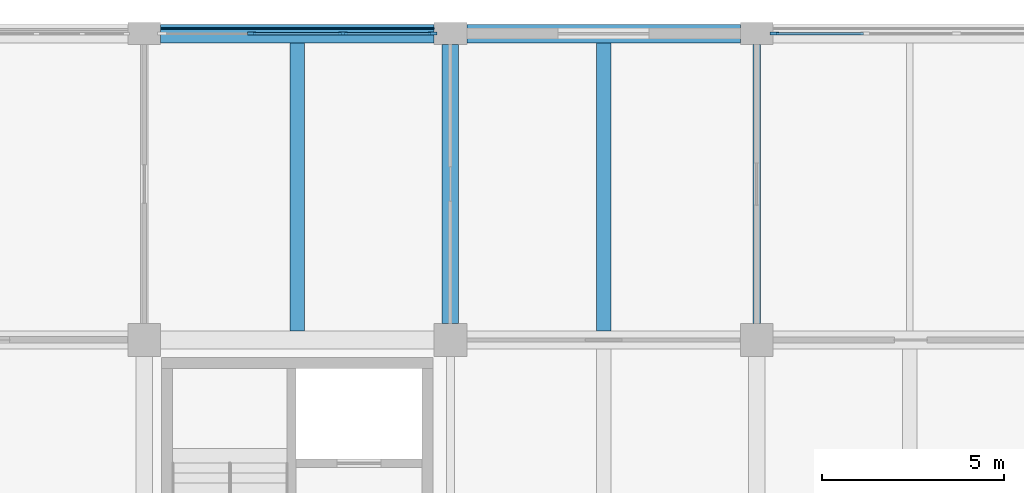
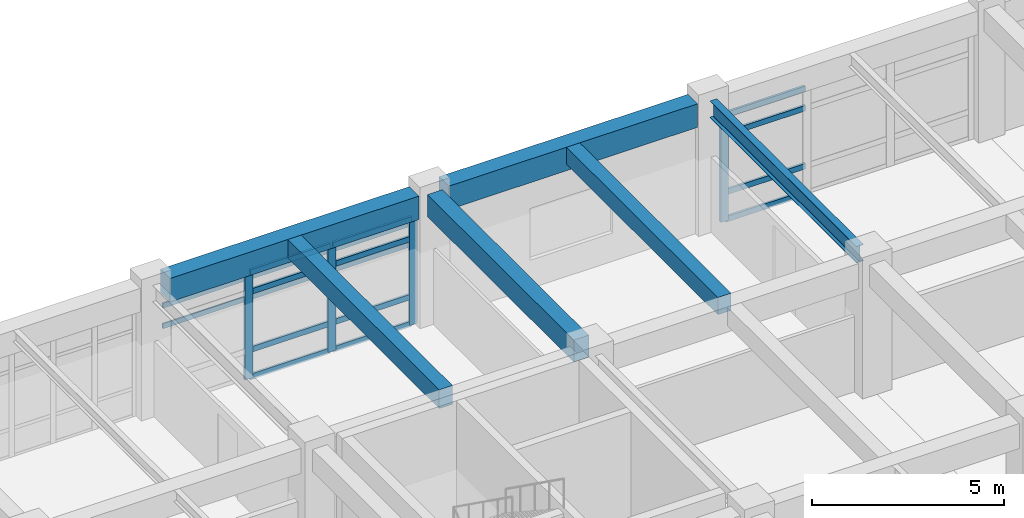
# One storey, part 43 of 99: 18 members, 6 beams, 2 elements without a shape of their own.
"""IFC4 building model written with IfcOpenShell, lengths in metres."""

from ifc_helpers import new_model, si_unit, direction, frame, origin, origin_2d, place, context, subcontext, project, spatial, rectangle, i_section, extrude, material, layer, layer_set, material_profile, profile_set, type_object, element, aggregate, save


model = new_model("IFC4")

# Units and contexts
model_context = context("Model", 3, precision=1e-05, world=origin(), true_north=direction((0.0, 1.0)))
body_context = subcontext(model_context, "Body", "Model", "MODEL_VIEW")
ifc_project = project(units=[si_unit("LENGTHUNIT", "METRE"), si_unit("AREAUNIT", "SQUARE_METRE"), si_unit("VOLUMEUNIT", "CUBIC_METRE"), si_unit("PLANEANGLEUNIT", "RADIAN"), si_unit("MASSUNIT", "GRAM", prefix="KILO")], contexts=[model_context])

# Site, building, storey
site_placement = place(None, origin())
site = spatial("IfcSite", under=ifc_project, at=site_placement, CompositionType="ELEMENT")
building_placement = place(site_placement, origin())
building = spatial("IfcBuilding", under=site, at=building_placement, Name="Porcellanite Civic Hall", CompositionType="ELEMENT")
storey_placement = place(building_placement, frame((0.0, 0.0, 5.760009765625)))
storey = spatial("IfcBuildingStorey", under=building, at=storey_placement, Name="L01", CompositionType="ELEMENT", Elevation=5.760009765625)

# Beams
ifc_material_1 = material(Name="Concrete N50 (50 MPa)", Category="concrete")
ifc_material_profile_1 = material_profile(ifc_material_1, rectangle(XDim=0.39990234375, YDim=0.550048828125, at=origin_2d()), Name="RC-400x550")
ifc_profile_set_1 = profile_set([ifc_material_profile_1], Name="Concrete N50 (50 MPa)")
beam_type_1 = type_object("IfcBeamType", Name="BM-RC550", PredefinedType="JOIST", material=ifc_profile_set_1)
beam_1_placement = place(storey_placement, frame((121.800048828125, 109.449462890625, 3.925048828125), z_axis=(0.0, 1.0, 0.0), x_axis=(-1.0, 0.0, 0.0)))
element("IfcBeam", 1, at=beam_1_placement, inside=storey, type_object=beam_type_1, Name="Secondary joist L01 15-14", PredefinedType="JOIST", context=body_context, shape_type="SweptSolid", body=[
    extrude(rectangle(XDim=0.39990234375, YDim=0.550048828125, at=origin_2d()), origin(), (0.0, 0.0, 1.0), 7.901123046875),
])
ifc_material_2 = material(Name="Concrete N50 (50 MPa)", Category="concrete")
ifc_material_profile_2 = material_profile(ifc_material_2, rectangle(XDim=0.39990234375, YDim=0.60009765625, at=origin_2d()), Name="RC-400x600")
ifc_profile_set_2 = profile_set([ifc_material_profile_2], Name="Concrete N50 (50 MPa)")
beam_type_2 = type_object("IfcBeamType", Name="BM-RC600", PredefinedType="JOIST", material=ifc_profile_set_2)
beam_2_placement = place(storey_placement, frame((113.39990234375, 109.449462890625, 3.89990234375), z_axis=(0.0, 1.0, 0.0), x_axis=(-1.0, 0.0, 0.0)))
element("IfcBeam", 2, at=beam_2_placement, inside=storey, type_object=beam_type_2, Name="Secondary joist L01 14-14", PredefinedType="JOIST", context=body_context, shape_type="SweptSolid", body=[
    extrude(rectangle(XDim=0.39990234375, YDim=0.60009765625, at=origin_2d()), origin(), (0.0, 0.0, 1.0), 7.901123046875),
])
ifc_material_3 = material(Name="Concrete N50 (50 MPa)", Category="concrete")
ifc_material_profile_3 = material_profile(ifc_material_3, rectangle(XDim=0.449951171875, YDim=0.699951171875, at=origin_2d()), Name="RC-450x700")
ifc_profile_set_3 = profile_set([ifc_material_profile_3], Name="Concrete N50 (50 MPa)")
beam_type_3 = type_object("IfcBeamType", Name="BM-RC700", PredefinedType="BEAM", material=ifc_profile_set_3)
beam_3_placement = place(storey_placement, frame((117.60009765625, 109.6494140625, 3.85009765625), z_axis=(0.0, 1.0, 0.0), x_axis=(-1.0, 0.0, 0.0)))
element("IfcBeam", 3, at=beam_3_placement, inside=storey, type_object=beam_type_3, Name="Beam Y L01 15-14", PredefinedType="BEAM", context=body_context, shape_type="SweptSolid", body=[
    extrude(rectangle(XDim=0.449951171875, YDim=0.699951171875, at=origin_2d()), origin(), (0.0, 0.0, 1.0), 7.651123046875),
])
ifc_material_4 = material(Name="Concrete N50 (50 MPa)", Category="concrete")
ifc_material_profile_4 = material_profile(ifc_material_4, rectangle(XDim=0.5, YDim=0.75, at=origin_2d()), Name="RC-500x750")
ifc_profile_set_4 = profile_set([ifc_material_profile_4], Name="Concrete N50 (50 MPa)")
beam_type_4 = type_object("IfcBeamType", Name="BM-RC750", PredefinedType="SPANDREL", material=ifc_profile_set_4)
for number, where, z_axis, x_axis, name in (
    (4, (109.6494140625, 117.60009765625, 3.824951171875), (1.0, 0.0, 0.0), (0.0, 1.0, 0.0), "Beam X L01 14-15"),
    (5, (118.049560546875, 117.60009765625, 3.824951171875), (1.0, 0.0, 0.0), (0.0, 1.0, 0.0), "Beam X L01 15-15"),
):
    element("IfcBeam", number, at=place(storey_placement, frame(where, z_axis=z_axis, x_axis=x_axis)), inside=storey, type_object=beam_type_4, Name=name, PredefinedType="SPANDREL", context=body_context, shape_type="SweptSolid", body=[
        extrude(rectangle(XDim=0.5, YDim=0.75, at=origin_2d()), origin(), (0.0, 0.0, 1.0), 7.5009765625),
    ])

# Curtain wall, members
ifc_material_5 = material(Name="Anodised aluminium and solar laminated glass", Category="aluminium")
ifc_layer = layer(ifc_material_5, 0.179931640625)
ifc_layer_set = layer_set([ifc_layer], Name="Anodised aluminium and solar laminated glass")
curtain_wall_type = type_object("IfcCurtainWallType", Name="CW-SYS08", PredefinedType="NOTDEFINED", material=ifc_layer_set)
curtain_wall_1_placement = place(storey_placement, origin())
curtain_wall_1 = element("IfcCurtainWall", 6, at=curtain_wall_1_placement, inside=storey, type_object=curtain_wall_type, Name="Curtain wall CW-106", PredefinedType="NOTDEFINED")
ifc_material_6 = material(Name="Anodised aluminium 6063-T6", Category="aluminium")
ifc_material_profile_5 = material_profile(ifc_material_6, rectangle(XDim=0.080078125, YDim=0.239990234375, at=origin_2d()), Name="AL-80x240")
ifc_profile_set_5 = profile_set([ifc_material_profile_5], Name="Anodised aluminium 6063-T6")
member_type_1 = type_object("IfcMemberType", Name="CWM-01", PredefinedType="MULLION", material=ifc_profile_set_5)
member_1_placement = place(storey_placement, frame((112.150390625, 117.60009765625, 0.0), z_axis=(0.0, 0.0, 1.0), x_axis=(0.0, 1.0, 0.0)))
member_1 = element("IfcMember", 7, at=member_1_placement, type_object=member_type_1, Name="CW-106 mullion 2", PredefinedType="MULLION", context=body_context, shape_type="SweptSolid", body=[
    extrude(rectangle(XDim=0.080078125, YDim=0.239990234375, at=origin_2d()), origin(), (0.0, 0.0, 1.0), 3.39990234375),
])
member_2_placement = place(storey_placement, frame((114.649658203125, 117.60009765625, 0.0), z_axis=(0.0, 0.0, 1.0), x_axis=(0.0, 1.0, 0.0)))
member_2 = element("IfcMember", 8, at=member_2_placement, type_object=member_type_1, Name="CW-106 mullion 3", PredefinedType="MULLION", context=body_context, shape_type="SweptSolid", body=[
    extrude(rectangle(XDim=0.080078125, YDim=0.239990234375, at=origin_2d()), origin(), (0.0, 0.0, 1.0), 3.39990234375),
])
member_3_placement = place(storey_placement, frame((117.10888671875, 117.60009765625, 0.0), z_axis=(0.0, 0.0, 1.0), x_axis=(0.0, 1.0, 0.0)))
member_3 = element("IfcMember", 9, at=member_3_placement, type_object=member_type_1, Name="CW-106 mullion 4", PredefinedType="MULLION", context=body_context, shape_type="SweptSolid", body=[
    extrude(rectangle(XDim=0.080078125, YDim=0.239990234375, at=origin_2d()), origin(), (0.0, 0.0, 1.0), 3.39990234375),
])

# Curtain wall, member
curtain_wall_2_placement = place(storey_placement, origin())
curtain_wall_2 = element("IfcCurtainWall", 10, at=curtain_wall_2_placement, inside=storey, type_object=curtain_wall_type, Name="Curtain wall CW-118", PredefinedType="NOTDEFINED")
member_4_placement = place(storey_placement, frame((126.490966796875, 117.60009765625, 0.0), z_axis=(0.0, 0.0, 1.0), x_axis=(0.0, 1.0, 0.0)))
member_4 = element("IfcMember", 11, at=member_4_placement, type_object=member_type_1, Name="CW-118 mullion 1", PredefinedType="MULLION", context=body_context, shape_type="SweptSolid", body=[
    extrude(rectangle(XDim=0.080078125, YDim=0.239990234375, at=origin_2d()), origin(), (0.0, 0.0, 1.0), 3.39990234375),
])

# Member
ifc_material_7 = material(Name="Anodised aluminium 6063-T6", Category="aluminium")
ifc_material_profile_6 = material_profile(ifc_material_7, rectangle(XDim=0.070068359375, YDim=0.175048828125, at=origin_2d()), Name="AL-70x175")
ifc_profile_set_6 = profile_set([ifc_material_profile_6], Name="Anodised aluminium 6063-T6")
member_type_2 = type_object("IfcMemberType", Name="CWT-01", PredefinedType="USERDEFINED", material=ifc_profile_set_6)
member_5_placement = place(storey_placement, frame((112.1904296875, 117.60009765625, 0.034912109375), z_axis=(1.0, 0.0, 0.0), x_axis=(0.0, 1.0, 0.0)))
member_5 = element("IfcMember", 12, at=member_5_placement, type_object=member_type_2, Name="CW-106 transom 2.1", ObjectType="TRANSOM", PredefinedType="USERDEFINED", context=body_context, shape_type="SweptSolid", body=[
    extrude(rectangle(XDim=0.070068359375, YDim=0.175048828125, at=origin_2d()), origin(), (0.0, 0.0, 1.0), 2.419189453125),
])

member_6_placement = place(storey_placement, frame((112.1904296875, 117.60009765625, 0.89990234375), z_axis=(1.0, 0.0, 0.0), x_axis=(0.0, 1.0, 0.0)))
member_6 = element("IfcMember", 13, at=member_6_placement, type_object=member_type_2, Name="CW-106 transom 2.2", ObjectType="TRANSOM", PredefinedType="USERDEFINED", context=body_context, shape_type="SweptSolid", body=[
    extrude(rectangle(XDim=0.070068359375, YDim=0.175048828125, at=origin_2d()), origin(), (0.0, 0.0, 1.0), 2.419189453125),
])

member_7_placement = place(storey_placement, frame((112.1904296875, 117.60009765625, 2.75), z_axis=(1.0, 0.0, 0.0), x_axis=(0.0, 1.0, 0.0)))
member_7 = element("IfcMember", 14, at=member_7_placement, type_object=member_type_2, Name="CW-106 transom 2.3", ObjectType="TRANSOM", PredefinedType="USERDEFINED", context=body_context, shape_type="SweptSolid", body=[
    extrude(rectangle(XDim=0.070068359375, YDim=0.175048828125, at=origin_2d()), origin(), (0.0, 0.0, 1.0), 2.419189453125),
])

member_8_placement = place(storey_placement, frame((112.1904296875, 117.60009765625, 3.364990234375), z_axis=(1.0, 0.0, 0.0), x_axis=(0.0, 1.0, 0.0)))
member_8 = element("IfcMember", 15, at=member_8_placement, type_object=member_type_2, Name="CW-106 transom 2.4", ObjectType="TRANSOM", PredefinedType="USERDEFINED", context=body_context, shape_type="SweptSolid", body=[
    extrude(rectangle(XDim=0.070068359375, YDim=0.175048828125, at=origin_2d()), origin(), (0.0, 0.0, 1.0), 2.419189453125),
])

member_9_placement = place(storey_placement, frame((114.689697265625, 117.60009765625, 0.034912109375), z_axis=(1.0, 0.0, 0.0), x_axis=(0.0, 1.0, 0.0)))
member_9 = element("IfcMember", 16, at=member_9_placement, type_object=member_type_2, Name="CW-106 transom 3.1", ObjectType="TRANSOM", PredefinedType="USERDEFINED", context=body_context, shape_type="SweptSolid", body=[
    extrude(rectangle(XDim=0.070068359375, YDim=0.175048828125, at=origin_2d()), origin(), (0.0, 0.0, 1.0), 2.37939453125),
])

member_10_placement = place(storey_placement, frame((114.689697265625, 117.60009765625, 0.89990234375), z_axis=(1.0, 0.0, 0.0), x_axis=(0.0, 1.0, 0.0)))
member_10 = element("IfcMember", 17, at=member_10_placement, type_object=member_type_2, Name="CW-106 transom 3.2", ObjectType="TRANSOM", PredefinedType="USERDEFINED", context=body_context, shape_type="SweptSolid", body=[
    extrude(rectangle(XDim=0.070068359375, YDim=0.175048828125, at=origin_2d()), origin(), (0.0, 0.0, 1.0), 2.37939453125),
])

member_11_placement = place(storey_placement, frame((114.689697265625, 117.60009765625, 2.75), z_axis=(1.0, 0.0, 0.0), x_axis=(0.0, 1.0, 0.0)))
member_11 = element("IfcMember", 18, at=member_11_placement, type_object=member_type_2, Name="CW-106 transom 3.3", ObjectType="TRANSOM", PredefinedType="USERDEFINED", context=body_context, shape_type="SweptSolid", body=[
    extrude(rectangle(XDim=0.070068359375, YDim=0.175048828125, at=origin_2d()), origin(), (0.0, 0.0, 1.0), 2.37939453125),
])

member_12_placement = place(storey_placement, frame((114.689697265625, 117.60009765625, 3.364990234375), z_axis=(1.0, 0.0, 0.0), x_axis=(0.0, 1.0, 0.0)))
member_12 = element("IfcMember", 19, at=member_12_placement, type_object=member_type_2, Name="CW-106 transom 3.4", ObjectType="TRANSOM", PredefinedType="USERDEFINED", context=body_context, shape_type="SweptSolid", body=[
    extrude(rectangle(XDim=0.070068359375, YDim=0.175048828125, at=origin_2d()), origin(), (0.0, 0.0, 1.0), 2.37939453125),
])

aggregate(curtain_wall_1, [member_1, member_2, member_3, member_5, member_6, member_7, member_8, member_9, member_10, member_11, member_12])

member_13_placement = place(storey_placement, frame((126.531005859375, 117.60009765625, 0.034912109375), z_axis=(1.0, 0.0, 0.0), x_axis=(0.0, 1.0, 0.0)))
member_13 = element("IfcMember", 20, at=member_13_placement, type_object=member_type_2, Name="CW-118 transom 1.1", ObjectType="TRANSOM", PredefinedType="USERDEFINED", context=body_context, shape_type="SweptSolid", body=[
    extrude(rectangle(XDim=0.070068359375, YDim=0.175048828125, at=origin_2d()), origin(), (0.0, 0.0, 1.0), 2.39599609375),
])

member_14_placement = place(storey_placement, frame((126.531005859375, 117.60009765625, 0.89990234375), z_axis=(1.0, 0.0, 0.0), x_axis=(0.0, 1.0, 0.0)))
member_14 = element("IfcMember", 21, at=member_14_placement, type_object=member_type_2, Name="CW-118 transom 1.2", ObjectType="TRANSOM", PredefinedType="USERDEFINED", context=body_context, shape_type="SweptSolid", body=[
    extrude(rectangle(XDim=0.070068359375, YDim=0.175048828125, at=origin_2d()), origin(), (0.0, 0.0, 1.0), 2.39599609375),
])

member_15_placement = place(storey_placement, frame((126.531005859375, 117.60009765625, 2.75), z_axis=(1.0, 0.0, 0.0), x_axis=(0.0, 1.0, 0.0)))
member_15 = element("IfcMember", 22, at=member_15_placement, type_object=member_type_2, Name="CW-118 transom 1.3", ObjectType="TRANSOM", PredefinedType="USERDEFINED", context=body_context, shape_type="SweptSolid", body=[
    extrude(rectangle(XDim=0.070068359375, YDim=0.175048828125, at=origin_2d()), origin(), (0.0, 0.0, 1.0), 2.39599609375),
])

member_16_placement = place(storey_placement, frame((126.531005859375, 117.60009765625, 3.364990234375), z_axis=(1.0, 0.0, 0.0), x_axis=(0.0, 1.0, 0.0)))
member_16 = element("IfcMember", 23, at=member_16_placement, type_object=member_type_2, Name="CW-118 transom 1.4", ObjectType="TRANSOM", PredefinedType="USERDEFINED", context=body_context, shape_type="SweptSolid", body=[
    extrude(rectangle(XDim=0.070068359375, YDim=0.175048828125, at=origin_2d()), origin(), (0.0, 0.0, 1.0), 2.39599609375),
])

aggregate(curtain_wall_2, [member_4, member_13, member_14, member_15, member_16])

# Members
ifc_material_8 = material(Name="Fluoropolymer bauxite-red aluminium 6063-T6", Category="aluminium")
ifc_material_profile_7 = material_profile(ifc_material_8, rectangle(XDim=0.044921875, YDim=0.159912109375, at=origin_2d()), Name="AL-45x160")
ifc_profile_set_7 = profile_set([ifc_material_profile_7], Name="Fluoropolymer bauxite-red aluminium 6063-T6")
member_type_3 = type_object("IfcMemberType", Name="LV-BLD11", PredefinedType="USERDEFINED", material=ifc_profile_set_7)
for number, where, z_axis, x_axis, name in (
    (24, (109.6494140625, 117.744384765625, 3.10009765625), (1.0, 0.0, 0.0), (0.0, 1.0, 0.0), "Cyclone sunshade louvre L01 N 13-13 1"),
    (25, (109.6494140625, 117.744384765625, 2.449951171875), (1.0, 0.0, 0.0), (0.0, 1.0, 0.0), "Cyclone sunshade louvre L01 N 13-13 2"),
):
    element("IfcMember", number, at=place(storey_placement, frame(where, z_axis=z_axis, x_axis=x_axis)), inside=storey, type_object=member_type_3, Name=name, ObjectType="LOUVRE BLADE", PredefinedType="USERDEFINED", context=body_context, shape_type="SweptSolid", body=[
        extrude(rectangle(XDim=0.044921875, YDim=0.159912109375, at=origin_2d()), origin(), (0.0, 0.0, 1.0), 7.5009765625),
    ])

# Beam
ifc_material_9 = material(Name="Steel Grade 350", Category="steel")
ifc_material_profile_8 = material_profile(ifc_material_9, i_section(OverallWidth=0.208984375, OverallDepth=0.528076171875, WebThickness=0.009521484375, FlangeThickness=0.01318359375, FilletRadius=0.013916015625, at=origin_2d()), Name="530UB82.0")
ifc_profile_set_8 = profile_set([ifc_material_profile_8], Name="Steel Grade 350")
beam_type_5 = type_object("IfcBeamType", Name="RAF-530UB82", PredefinedType="BEAM", material=ifc_profile_set_8)
beam_4_placement = place(storey_placement, frame((126.0, 109.6494140625, 3.93603515625), z_axis=(0.0, 1.0, 0.0), x_axis=(-1.0, 0.0, 0.0)))
element("IfcBeam", 26, at=beam_4_placement, inside=storey, type_object=beam_type_5, Name="Beam Y L01 16-14", PredefinedType="BEAM", context=body_context, shape_type="SweptSolid", body=[
    extrude(i_section(OverallWidth=0.208984375, OverallDepth=0.528076171875, WebThickness=0.009521484375, FlangeThickness=0.01318359375, FilletRadius=0.013916015625, at=origin_2d()), origin(), (0.0, 0.0, 1.0), 7.651123046875),
])

save(model, "model.ifc")
